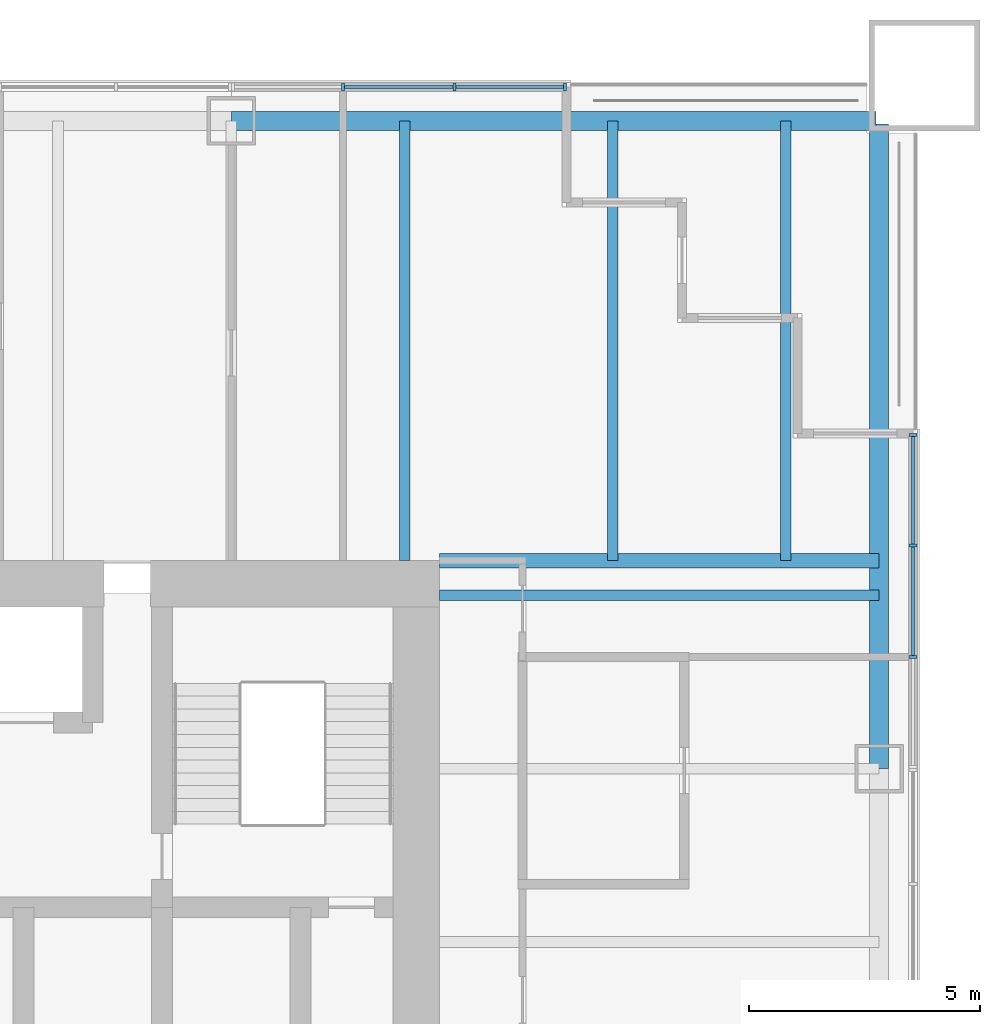
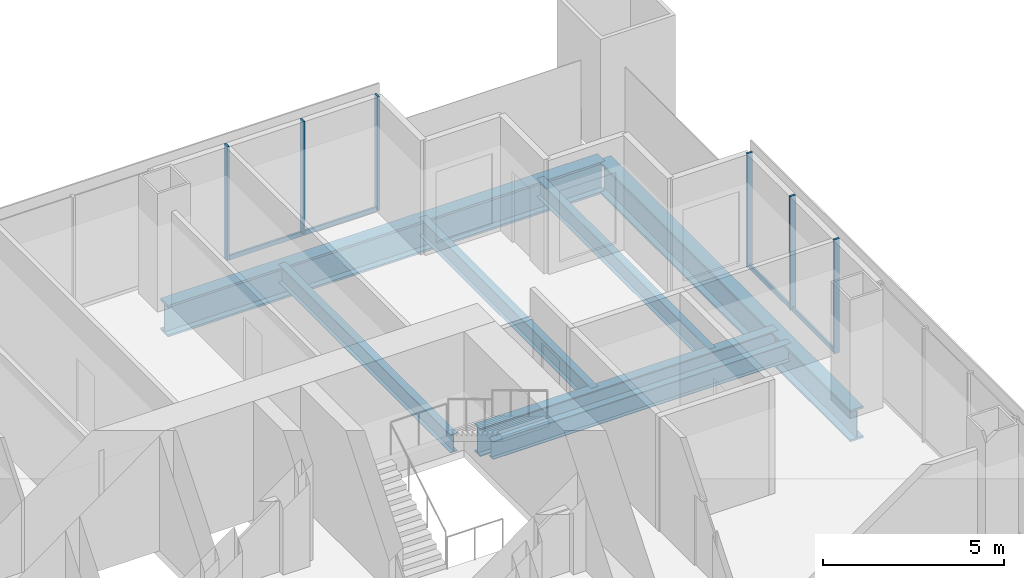
# One storey, part 6 of 13: 10 members, 7 beams, 2 elements without a shape of their own.
"""IFC4 building model written with IfcOpenShell, lengths in metres."""

from ifc_helpers import new_model, si_unit, direction, frame, origin, origin_2d, place, context, subcontext, project, spatial, rectangle, i_section, extrude, material, material_profile, profile_set, type_object, element, aggregate, save


model = new_model("IFC4")

# Units and contexts
model_context = context("Model", 3, precision=1e-05, world=origin(), true_north=direction((0.0, 1.0)))
body_context = subcontext(model_context, "Body", "Model", "MODEL_VIEW")
ifc_project = project(units=[si_unit("LENGTHUNIT", "METRE"), si_unit("AREAUNIT", "SQUARE_METRE"), si_unit("VOLUMEUNIT", "CUBIC_METRE"), si_unit("PLANEANGLEUNIT", "RADIAN"), si_unit("MASSUNIT", "GRAM", prefix="KILO")], contexts=[model_context])

# Site, building, storey
site_placement = place(None, origin())
site = spatial("IfcSite", under=ifc_project, at=site_placement, CompositionType="ELEMENT")
building_placement = place(site_placement, origin())
building = spatial("IfcBuilding", under=site, at=building_placement, Name="Tarangal Relay Tower", CompositionType="ELEMENT")
storey_placement = place(building_placement, frame((0.0, 0.0, 185.89990234375)))
storey = spatial("IfcBuildingStorey", under=building, at=storey_placement, Name="L38", CompositionType="ELEMENT", Elevation=185.89990234375)

# Beams
ifc_material_1 = material(Name="Steel ASTM A992", Category="steel")
ifc_material_profile_1 = material_profile(ifc_material_1, i_section(OverallWidth=0.227783203125, OverallDepth=0.60205078125, WebThickness=0.010498046875, FlangeThickness=0.014892578125, at=origin_2d()), Name="W24X68")
ifc_profile_set_1 = profile_set([ifc_material_profile_1], Name="Steel ASTM A992")
beam_type_1 = type_object("IfcBeamType", Name="Corner beam W24X68", PredefinedType="JOIST", material=ifc_profile_set_1)
for number, where, z_axis, x_axis, name in (
    (1, (15.75, 12.0, -0.450927734375), (0.0, 1.0, 0.0), (-1.0, 0.0, 0.0), "Corner beam CB11 N L38"),
    (2, (19.5, 12.0, -0.450927734375), (0.0, 1.0, 0.0), (-1.0, 0.0, 0.0), "Corner beam CB11 N L38"),
):
    element("IfcBeam", number, at=place(storey_placement, frame(where, z_axis=z_axis, x_axis=x_axis)), inside=storey, type_object=beam_type_1, Name=name, PredefinedType="JOIST", context=body_context, shape_type="SweptSolid", body=[
        extrude(i_section(OverallWidth=0.227783203125, OverallDepth=0.60205078125, WebThickness=0.010498046875, FlangeThickness=0.014892578125, at=origin_2d()), origin(), (0.0, 0.0, 1.0), 9.514892578125),
    ])
ifc_material_profile_2 = material_profile(ifc_material_1, i_section(OverallWidth=0.307373046875, OverallDepth=0.9423828125, WebThickness=0.022216796875, FlangeThickness=0.039794921875, at=origin_2d()), Name="W36X232")
ifc_profile_set_2 = profile_set([ifc_material_profile_2], Name="Steel ASTM A992")
beam_type_2 = type_object("IfcBeamType", Name="Corner girder W36X232", PredefinedType="BEAM", material=ifc_profile_set_2)
beam_placement = place(storey_placement, frame((12.0, 12.0, -0.62109375), z_axis=(1.0, 0.0, 0.0), x_axis=(0.0, 1.0, 0.0)))
element("IfcBeam", 3, at=beam_placement, inside=storey, type_object=beam_type_2, Name="Corner girder CG4 N L38", PredefinedType="BEAM", context=body_context, shape_type="SweptSolid", body=[
    extrude(i_section(OverallWidth=0.307373046875, OverallDepth=0.9423828125, WebThickness=0.022216796875, FlangeThickness=0.039794921875, at=origin_2d()), origin(), (0.0, 0.0, 1.0), 9.514892578125),
])
ifc_material_profile_3 = material_profile(ifc_material_1, i_section(OverallWidth=0.41650390625, OverallDepth=1.0693359375, WebThickness=0.0390625, FlangeThickness=0.070068359375, at=origin_2d()), Name="W40X503")
ifc_profile_set_3 = profile_set([ifc_material_profile_3], Name="Steel ASTM A992")
beam_type_3 = type_object("IfcBeamType", Name="Edge girder W40X503", PredefinedType="SPANDREL", material=ifc_profile_set_3)
for number, where, z_axis, x_axis, name in (
    (4, (7.5, 21.514892578125, -0.6845703125), (1.0, 0.0, 0.0), (0.0, 1.0, 0.0), "Edge girder EG8 N L38"),
    (5, (21.514892578125, 21.449951171875, -0.6845703125), (0.0, -1.0, 0.0), (1.0, 0.0, 0.0), "Edge girder EG8 E L38"),
):
    element("IfcBeam", number, at=place(storey_placement, frame(where, z_axis=z_axis, x_axis=x_axis)), inside=storey, type_object=beam_type_3, Name=name, PredefinedType="SPANDREL", context=body_context, shape_type="SweptSolid", body=[
        extrude(i_section(OverallWidth=0.41650390625, OverallDepth=1.0693359375, WebThickness=0.0390625, FlangeThickness=0.070068359375, at=origin_2d()), origin(), (0.0, 0.0, 1.0), 13.949951171875),
    ])
ifc_material_profile_4 = material_profile(ifc_material_1, i_section(OverallWidth=0.22900390625, OverallDepth=0.612060546875, WebThickness=0.011962890625, FlangeThickness=0.01953125, at=origin_2d()), Name="W24X84")
ifc_profile_set_4 = profile_set([ifc_material_profile_4], Name="Steel ASTM A992")
beam_type_4 = type_object("IfcBeamType", Name="Floor beam W24X84", PredefinedType="BEAM", material=ifc_profile_set_4)
for number, where, z_axis, x_axis, name in (
    (6, (11.25, 12.0, -0.455810546875), (0.0, 1.0, 0.0), (-1.0, 0.0, 0.0), "Floor beam RB12 N L38"),
    (7, (12.0, 11.25, -0.455810546875), (1.0, 0.0, 0.0), (0.0, 1.0, 0.0), "Floor beam RB12 E L38"),
):
    element("IfcBeam", number, at=place(storey_placement, frame(where, z_axis=z_axis, x_axis=x_axis)), inside=storey, type_object=beam_type_4, Name=name, PredefinedType="BEAM", context=body_context, shape_type="SweptSolid", body=[
        extrude(i_section(OverallWidth=0.22900390625, OverallDepth=0.612060546875, WebThickness=0.011962890625, FlangeThickness=0.01953125, at=origin_2d()), origin(), (0.0, 0.0, 1.0), 9.514892578125),
    ])

# Curtain wall, members
ifc_material_2 = material(Name="Unitised curtain wall frame, black aluminium, with metal clad infill walls", Category="aluminium")
curtain_wall_type = type_object("IfcCurtainWallType", Name="Curtain wall CW-AO", PredefinedType="USERDEFINED", material=ifc_material_2)
curtain_wall_1_placement = place(storey_placement, origin())
curtain_wall_1 = element("IfcCurtainWall", 8, at=curtain_wall_1_placement, inside=storey, type_object=curtain_wall_type, Name="Curtain wall CW-AO N facade L38", ObjectType="UNITISED CURTAIN WALL", PredefinedType="USERDEFINED")
ifc_material_3 = material(Name="Black anodised aluminium mullion", Category="aluminium")
ifc_material_profile_5 = material_profile(ifc_material_3, rectangle(XDim=0.175048828125, YDim=0.06494140625, at=origin_2d()), Name="CW-AOM 65X175")
ifc_profile_set_5 = profile_set([ifc_material_profile_5], Name="Black anodised aluminium mullion")
member_type_1 = type_object("IfcMemberType", Name="Mullion CW-AO 65 x 175", PredefinedType="MULLION", material=ifc_profile_set_5)
member_1_placement = place(storey_placement, frame((9.916748046875, 22.25, 0.0), z_axis=(0.0, 0.0, 1.0), x_axis=(0.0, 1.0, 0.0)))
member_1 = element("IfcMember", 9, at=member_1_placement, type_object=member_type_1, Name="CW-AO mullion 2", PredefinedType="MULLION", context=body_context, shape_type="SweptSolid", body=[
    extrude(rectangle(XDim=0.175048828125, YDim=0.06494140625, at=origin_2d()), origin(), (0.0, 0.0, 1.0), 3.85009765625),
])
member_2_placement = place(storey_placement, frame((12.333251953125, 22.25, 0.0), z_axis=(0.0, 0.0, 1.0), x_axis=(0.0, 1.0, 0.0)))
member_2 = element("IfcMember", 10, at=member_2_placement, type_object=member_type_1, Name="CW-AO mullion 3", PredefinedType="MULLION", context=body_context, shape_type="SweptSolid", body=[
    extrude(rectangle(XDim=0.175048828125, YDim=0.06494140625, at=origin_2d()), origin(), (0.0, 0.0, 1.0), 3.85009765625),
])
member_3_placement = place(storey_placement, frame((14.717529296875, 22.25, 0.0), z_axis=(0.0, 0.0, 1.0), x_axis=(0.0, 1.0, 0.0)))
member_3 = element("IfcMember", 11, at=member_3_placement, type_object=member_type_1, Name="CW-AO mullion 4", PredefinedType="MULLION", context=body_context, shape_type="SweptSolid", body=[
    extrude(rectangle(XDim=0.175048828125, YDim=0.06494140625, at=origin_2d()), origin(), (0.0, 0.0, 1.0), 3.85009765625),
])

curtain_wall_2_placement = place(storey_placement, origin())
curtain_wall_2 = element("IfcCurtainWall", 12, at=curtain_wall_2_placement, inside=storey, type_object=curtain_wall_type, Name="Curtain wall CW-AO E facade L38", ObjectType="UNITISED CURTAIN WALL", PredefinedType="USERDEFINED")
member_4_placement = place(storey_placement, frame((22.25, 14.717529296875, 0.0), z_axis=(0.0, 0.0, 1.0), x_axis=(1.0, 0.0, 0.0)))
member_4 = element("IfcMember", 13, at=member_4_placement, type_object=member_type_1, Name="CW-AO mullion 1", PredefinedType="MULLION", context=body_context, shape_type="SweptSolid", body=[
    extrude(rectangle(XDim=0.175048828125, YDim=0.06494140625, at=origin_2d()), origin(), (0.0, 0.0, 1.0), 3.85009765625),
])
member_5_placement = place(storey_placement, frame((22.25, 12.333251953125, 0.0), z_axis=(0.0, 0.0, 1.0), x_axis=(1.0, 0.0, 0.0)))
member_5 = element("IfcMember", 14, at=member_5_placement, type_object=member_type_1, Name="CW-AO mullion 2", PredefinedType="MULLION", context=body_context, shape_type="SweptSolid", body=[
    extrude(rectangle(XDim=0.175048828125, YDim=0.06494140625, at=origin_2d()), origin(), (0.0, 0.0, 1.0), 3.85009765625),
])
member_6_placement = place(storey_placement, frame((22.25, 9.916748046875, 0.0), z_axis=(0.0, 0.0, 1.0), x_axis=(1.0, 0.0, 0.0)))
member_6 = element("IfcMember", 15, at=member_6_placement, type_object=member_type_1, Name="CW-AO mullion 3", PredefinedType="MULLION", context=body_context, shape_type="SweptSolid", body=[
    extrude(rectangle(XDim=0.175048828125, YDim=0.06494140625, at=origin_2d()), origin(), (0.0, 0.0, 1.0), 3.85009765625),
])

# Member
ifc_material_4 = material(Name="Black anodised aluminium transom", Category="aluminium")
ifc_material_profile_6 = material_profile(ifc_material_4, rectangle(XDim=0.06494140625, YDim=0.14990234375, at=origin_2d()), Name="CW-AOT 65X150")
ifc_profile_set_6 = profile_set([ifc_material_profile_6], Name="Black anodised aluminium transom")
member_type_2 = type_object("IfcMemberType", Name="Transom CW-AO 65 x 150", PredefinedType="USERDEFINED", material=ifc_profile_set_6)
member_7_placement = place(storey_placement, frame((9.94921875, 22.25, 0.03271484375), z_axis=(1.0, 0.0, 0.0), x_axis=(0.0, 1.0, 0.0)))
member_7 = element("IfcMember", 16, at=member_7_placement, type_object=member_type_2, Name="CW-AO transom 2.1", ObjectType="TRANSOM", PredefinedType="USERDEFINED", context=body_context, shape_type="SweptSolid", body=[
    extrude(rectangle(XDim=0.06494140625, YDim=0.14990234375, at=origin_2d()), origin(), (0.0, 0.0, 1.0), 2.3515625),
])

member_8_placement = place(storey_placement, frame((12.36572265625, 22.25, 0.03271484375), z_axis=(1.0, 0.0, 0.0), x_axis=(0.0, 1.0, 0.0)))
member_8 = element("IfcMember", 17, at=member_8_placement, type_object=member_type_2, Name="CW-AO transom 3.1", ObjectType="TRANSOM", PredefinedType="USERDEFINED", context=body_context, shape_type="SweptSolid", body=[
    extrude(rectangle(XDim=0.06494140625, YDim=0.14990234375, at=origin_2d()), origin(), (0.0, 0.0, 1.0), 2.3193359375),
])

aggregate(curtain_wall_1, [member_1, member_2, member_3, member_7, member_8])

member_9_placement = place(storey_placement, frame((22.25, 14.68505859375, 0.03271484375), z_axis=(0.0, -1.0, 0.0), x_axis=(1.0, 0.0, 0.0)))
member_9 = element("IfcMember", 18, at=member_9_placement, type_object=member_type_2, Name="CW-AO transom 1.1", ObjectType="TRANSOM", PredefinedType="USERDEFINED", context=body_context, shape_type="SweptSolid", body=[
    extrude(rectangle(XDim=0.06494140625, YDim=0.14990234375, at=origin_2d()), origin(), (0.0, 0.0, 1.0), 2.3193359375),
])

member_10_placement = place(storey_placement, frame((22.25, 12.30078125, 0.03271484375), z_axis=(0.0, -1.0, 0.0), x_axis=(1.0, 0.0, 0.0)))
member_10 = element("IfcMember", 19, at=member_10_placement, type_object=member_type_2, Name="CW-AO transom 2.1", ObjectType="TRANSOM", PredefinedType="USERDEFINED", context=body_context, shape_type="SweptSolid", body=[
    extrude(rectangle(XDim=0.06494140625, YDim=0.14990234375, at=origin_2d()), origin(), (0.0, 0.0, 1.0), 2.3515625),
])

aggregate(curtain_wall_2, [member_4, member_5, member_6, member_9, member_10])

save(model, "model.ifc")
